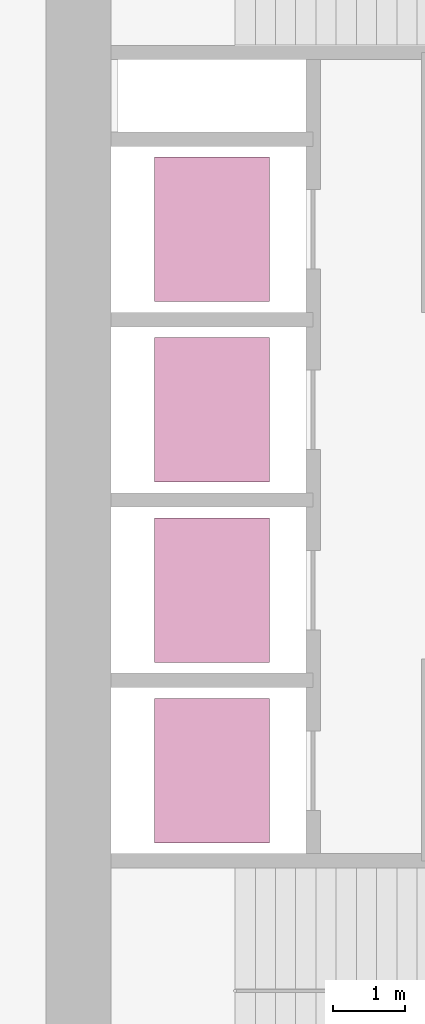
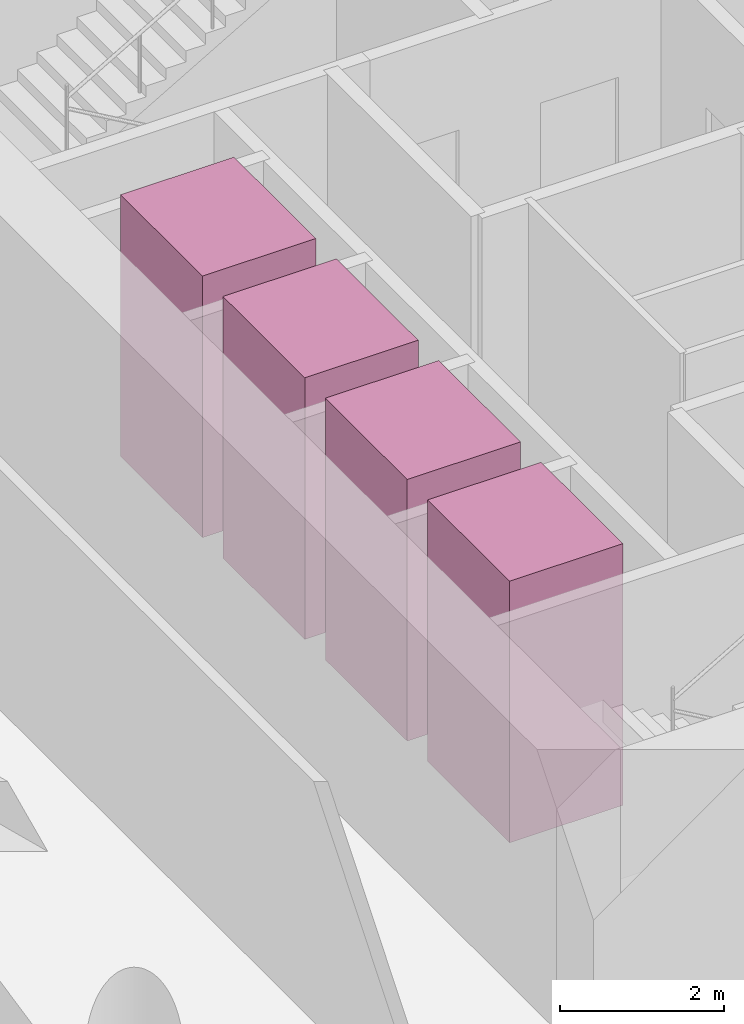
# One storey, part 10 of 10: 4 transport elements.
"""IFC4 building model written with IfcOpenShell, lengths in metres."""

from ifc_helpers import new_model, si_unit, direction, frame, origin, origin_2d, place, context, subcontext, project, spatial, rectangle, extrude, material, type_object, element, save


model = new_model("IFC4")

# Units and contexts
model_context = context("Model", 3, precision=1e-05, world=origin(), true_north=direction((0.0, 1.0)))
body_context = subcontext(model_context, "Body", "Model", "MODEL_VIEW")
ifc_project = project(units=[si_unit("LENGTHUNIT", "METRE"), si_unit("AREAUNIT", "SQUARE_METRE"), si_unit("VOLUMEUNIT", "CUBIC_METRE"), si_unit("PLANEANGLEUNIT", "RADIAN"), si_unit("MASSUNIT", "GRAM", prefix="KILO")], contexts=[model_context])

# Site, building, storey
site_placement = place(None, origin())
site = spatial("IfcSite", under=ifc_project, at=site_placement, CompositionType="ELEMENT")
building_placement = place(site_placement, origin())
building = spatial("IfcBuilding", under=site, at=building_placement, Name="Qaws Garden Tower", CompositionType="ELEMENT")
storey_placement = place(building_placement, frame((0.0, 0.0, 105.60009765625)))
storey = spatial("IfcBuildingStorey", under=building, at=storey_placement, Name="L26", CompositionType="ELEMENT", Elevation=105.60009765625)

# Transport elements
ifc_material = material(Name="Stainless steel 316", Category="steel")
transport_element_type = type_object("IfcTransportElementType", Name="Passenger lift car 2000x1600 1800 kg", PredefinedType="ELEVATOR", material=ifc_material)
for number, where, z_axis, x_axis, name in (
    (1, (10.300048828125, 13.64990234375, 0.0), (0.0, 0.0, 1.0), (1.0, 0.0, 0.0), "LR1"),
    (2, (10.300048828125, 16.14990234375, 0.0), (0.0, 0.0, 1.0), (1.0, 0.0, 0.0), "LR2"),
    (3, (10.300048828125, 18.64990234375, 0.0), (0.0, 0.0, 1.0), (1.0, 0.0, 0.0), "LR3"),
    (4, (10.300048828125, 21.14990234375, 0.0), (0.0, 0.0, 1.0), (1.0, 0.0, 0.0), "LR4"),
):
    element("IfcTransportElement", number, at=place(storey_placement, frame(where, z_axis=z_axis, x_axis=x_axis)), inside=storey, type_object=transport_element_type, Name=name, PredefinedType="ELEVATOR", context=body_context, shape_type="SweptSolid", body=[
        extrude(rectangle(XDim=1.60009765625, YDim=2.0, at=origin_2d()), origin(), (0.0, 0.0, 1.0), 3.89990234375),
    ])

save(model, "model.ifc")
